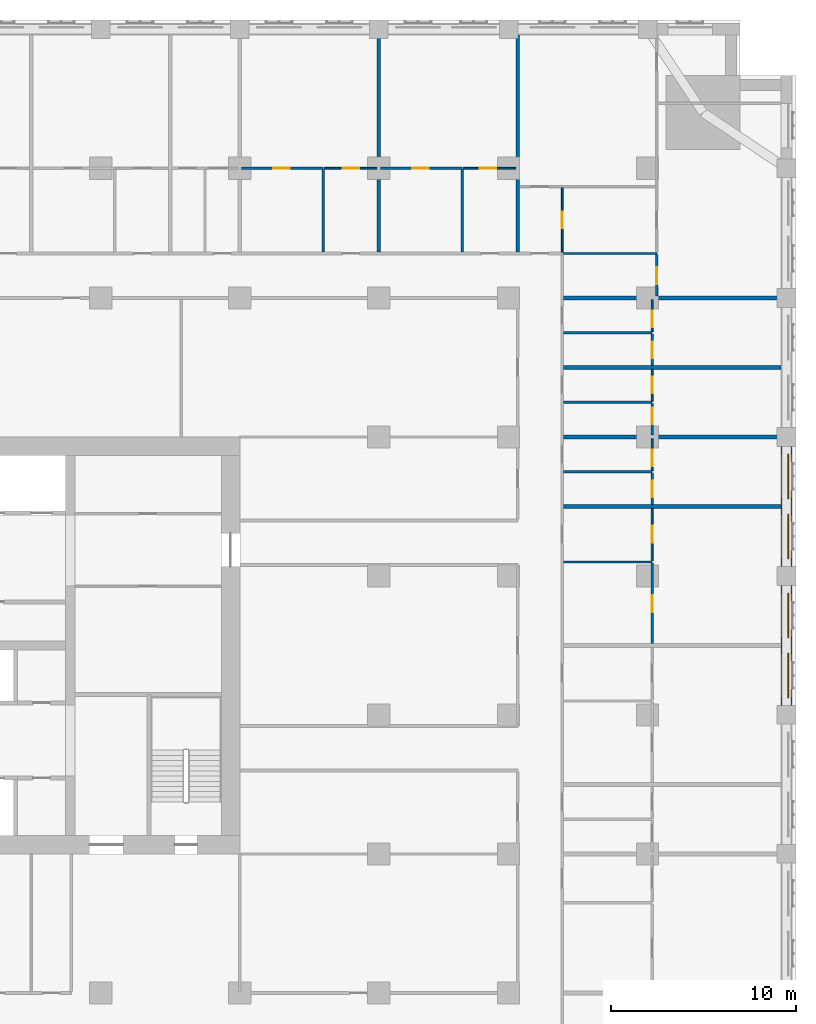
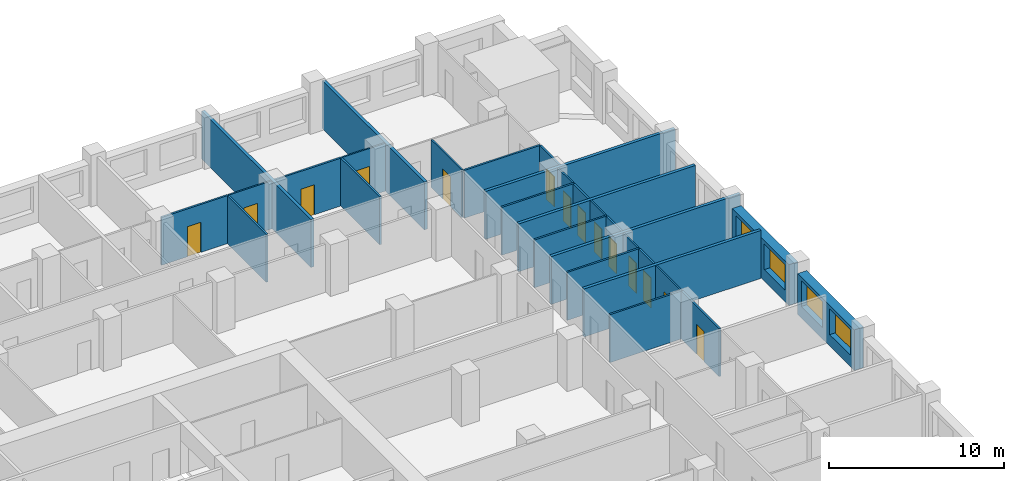
# One storey, part 10 of 14: 29 walls, 14 doors, 4 windows, 18 openings.
"""IFC4 building model written with IfcOpenShell, lengths in metres."""

from ifc_helpers import new_model, si_unit, direction, frame, frame_2d, origin, place, context, subcontext, project, spatial, rectangle, extrude, material, layer, layer_set, type_object, element, fill, save


model = new_model("IFC4")

# Units and contexts
model_context = context("Model", 3, precision=1e-05, world=origin(), true_north=direction((0.0, 1.0)))
body_context = subcontext(model_context, "Body", "Model", "MODEL_VIEW")
ifc_project = project(units=[si_unit("LENGTHUNIT", "METRE"), si_unit("AREAUNIT", "SQUARE_METRE"), si_unit("VOLUMEUNIT", "CUBIC_METRE"), si_unit("PLANEANGLEUNIT", "RADIAN"), si_unit("MASSUNIT", "GRAM", prefix="KILO")], contexts=[model_context])

# Site, building, storey
site_placement = place(None, origin())
site = spatial("IfcSite", under=ifc_project, at=site_placement, CompositionType="ELEMENT")
building_placement = place(site_placement, origin())
building = spatial("IfcBuilding", under=site, at=building_placement, Name="Tamorin Gate", CompositionType="ELEMENT")
storey_placement = place(building_placement, frame((0.0, 0.0, 44.800048828125)))
storey = spatial("IfcBuildingStorey", under=building, at=storey_placement, Name="L09", CompositionType="ELEMENT", Elevation=44.800048828125)

# Wall, openings, windows
ifc_material_1 = material(Name="Precast concrete C40/50", Category="concrete")
ifc_layer_1 = layer(ifc_material_1, 0.60009765625)
ifc_layer_set_1 = layer_set([ifc_layer_1], Name="Precast concrete C40/50")
wall_type_1 = type_object("IfcWallType", Name="Board-marked concrete facade panel 600", PredefinedType="SOLIDWALL", material=ifc_layer_set_1)
wall_1_placement = place(storey_placement, frame((89.5, 68.0, 0.0), z_axis=(0.0, 0.0, 1.0), x_axis=(0.0, 1.0, 0.0)))
wall_1 = element("IfcWall", 1, at=wall_1_placement, inside=storey, type_object=wall_type_1, Name="Facade panel", PredefinedType="SOLIDWALL", context=body_context, shape_type="SweptSolid", body=[
    extrude(rectangle(XDim=6.5, YDim=0.60009765625, at=frame_2d((3.25, 0.0))), origin(), (0.0, 0.0, 1.0), 2.849853515625),
])
opening_1_placement = place(wall_1_placement, frame((0.425048828125, 0.0, 0.800048828125)))
opening_1 = element("IfcOpeningElement", 2, at=opening_1_placement, cuts=wall_1, Name="Opening WN1", PredefinedType="OPENING", context=body_context, shape_type="SweptSolid", body=[
    extrude(rectangle(XDim=2.39990234375, YDim=1.800048828125, at=frame_2d((1.199951171875, 0.89990234375))), frame((0.0, 0.31005859375, 0.0), z_axis=(0.0, -1.0, 0.0), x_axis=(1.0, 0.0, 0.0)), (0.0, 0.0, 1.0), 0.6201171875),
])
opening_2_placement = place(wall_1_placement, frame((3.675048828125, 0.0, 0.800048828125)))
opening_2 = element("IfcOpeningElement", 3, at=opening_2_placement, cuts=wall_1, Name="Opening WN1", PredefinedType="OPENING", context=body_context, shape_type="SweptSolid", body=[
    extrude(rectangle(XDim=2.39990234375, YDim=1.800048828125, at=frame_2d((1.199951171875, 0.89990234375))), frame((0.0, 0.31005859375, 0.0), z_axis=(0.0, -1.0, 0.0), x_axis=(1.0, 0.0, 0.0)), (0.0, 0.0, 1.0), 0.6201171875),
])
ifc_material_2 = material(Name="Clear glass in aluminium frame", Category="aluminium")
window_type = type_object("IfcWindowType", Name="Deep-set window 2400x1800", PartitioningType="SINGLE_PANEL", PredefinedType="WINDOW", material=ifc_material_2)
window_1_placement = place(opening_1_placement, origin())
window_1 = element("IfcWindow", 4, at=window_1_placement, inside=storey, type_object=window_type, Name="Deep-set window", OverallHeight=1.800048828125, OverallWidth=2.39990234375, PartitioningType="SINGLE_PANEL", PredefinedType="WINDOW", context=body_context, shape_type="SweptSolid", body=[
    extrude(rectangle(XDim=2.39990234375, YDim=1.800048828125, at=frame_2d((1.199951171875, 0.89990234375))), frame((0.0, -0.070068359375, 0.0), z_axis=(0.0, -1.0, 0.0), x_axis=(1.0, 0.0, 0.0)), (0.0, 0.0, 1.0), 0.06005859375),
])
fill(opening_1, window_1)
window_2_placement = place(opening_2_placement, origin())
window_2 = element("IfcWindow", 5, at=window_2_placement, inside=storey, type_object=window_type, Name="Deep-set window", OverallHeight=1.800048828125, OverallWidth=2.39990234375, PartitioningType="SINGLE_PANEL", PredefinedType="WINDOW", context=body_context, shape_type="SweptSolid", body=[
    extrude(rectangle(XDim=2.39990234375, YDim=1.800048828125, at=frame_2d((1.199951171875, 0.89990234375))), frame((0.0, -0.070068359375, 0.0), z_axis=(0.0, -1.0, 0.0), x_axis=(1.0, 0.0, 0.0)), (0.0, 0.0, 1.0), 0.06005859375),
])
fill(opening_2, window_2)

wall_2_placement = place(storey_placement, frame((89.5, 75.5, 0.0), z_axis=(0.0, 0.0, 1.0), x_axis=(0.0, 1.0, 0.0)))
wall_2 = element("IfcWall", 6, at=wall_2_placement, inside=storey, type_object=wall_type_1, Name="Facade panel", PredefinedType="SOLIDWALL", context=body_context, shape_type="SweptSolid", body=[
    extrude(rectangle(XDim=6.5, YDim=0.60009765625, at=frame_2d((3.25, 0.0))), origin(), (0.0, 0.0, 1.0), 2.849853515625),
])
opening_3_placement = place(wall_2_placement, frame((0.425048828125, 0.0, 0.800048828125)))
opening_3 = element("IfcOpeningElement", 7, at=opening_3_placement, cuts=wall_2, Name="Opening WN1", PredefinedType="OPENING", context=body_context, shape_type="SweptSolid", body=[
    extrude(rectangle(XDim=2.39990234375, YDim=1.800048828125, at=frame_2d((1.199951171875, 0.89990234375))), frame((0.0, 0.31005859375, 0.0), z_axis=(0.0, -1.0, 0.0), x_axis=(1.0, 0.0, 0.0)), (0.0, 0.0, 1.0), 0.6201171875),
])
opening_4_placement = place(wall_2_placement, frame((3.675048828125, 0.0, 0.800048828125)))
opening_4 = element("IfcOpeningElement", 8, at=opening_4_placement, cuts=wall_2, Name="Opening WN1", PredefinedType="OPENING", context=body_context, shape_type="SweptSolid", body=[
    extrude(rectangle(XDim=2.39990234375, YDim=1.800048828125, at=frame_2d((1.199951171875, 0.89990234375))), frame((0.0, 0.31005859375, 0.0), z_axis=(0.0, -1.0, 0.0), x_axis=(1.0, 0.0, 0.0)), (0.0, 0.0, 1.0), 0.6201171875),
])
window_3_placement = place(opening_3_placement, origin())
window_3 = element("IfcWindow", 9, at=window_3_placement, inside=storey, type_object=window_type, Name="Deep-set window", OverallHeight=1.800048828125, OverallWidth=2.39990234375, PartitioningType="SINGLE_PANEL", PredefinedType="WINDOW", context=body_context, shape_type="SweptSolid", body=[
    extrude(rectangle(XDim=2.39990234375, YDim=1.800048828125, at=frame_2d((1.199951171875, 0.89990234375))), frame((0.0, -0.070068359375, 0.0), z_axis=(0.0, -1.0, 0.0), x_axis=(1.0, 0.0, 0.0)), (0.0, 0.0, 1.0), 0.06005859375),
])
fill(opening_3, window_3)
window_4_placement = place(opening_4_placement, origin())
window_4 = element("IfcWindow", 10, at=window_4_placement, inside=storey, type_object=window_type, Name="Deep-set window", OverallHeight=1.800048828125, OverallWidth=2.39990234375, PartitioningType="SINGLE_PANEL", PredefinedType="WINDOW", context=body_context, shape_type="SweptSolid", body=[
    extrude(rectangle(XDim=2.39990234375, YDim=1.800048828125, at=frame_2d((1.199951171875, 0.89990234375))), frame((0.0, -0.070068359375, 0.0), z_axis=(0.0, -1.0, 0.0), x_axis=(1.0, 0.0, 0.0)), (0.0, 0.0, 1.0), 0.06005859375),
])
fill(opening_4, window_4)

# Walls
ifc_material_3 = material(Name="Gypsum board partition")
ifc_layer_2 = layer(ifc_material_3, 0.199951171875)
ifc_layer_set_2 = layer_set([ifc_layer_2], Name="Demising wall 200")
wall_type_2 = type_object("IfcWallType", Name="Demising wall 200", PredefinedType="PARTITIONING", material=ifc_layer_set_2)
wall_3_placement = place(storey_placement, frame((77.47509765625, 78.75, 0.0), z_axis=(0.0, 0.0, 1.0), x_axis=(1.0, 0.0, 0.0)))
element("IfcWall", 11, at=wall_3_placement, inside=storey, type_object=wall_type_2, Name="Demising wall 200", PredefinedType="PARTITIONING", context=body_context, shape_type="SweptSolid", body=[
    extrude(rectangle(XDim=11.71484375, YDim=0.199951171875, at=frame_2d((5.857421875, 0.0))), origin(), (0.0, 0.0, 1.0), 3.349853515625),
])
wall_4_placement = place(storey_placement, frame((77.47509765625, 82.5, 0.0), z_axis=(0.0, 0.0, 1.0), x_axis=(1.0, 0.0, 0.0)))
element("IfcWall", 12, at=wall_4_placement, inside=storey, type_object=wall_type_2, Name="Demising wall 200", PredefinedType="PARTITIONING", context=body_context, shape_type="SweptSolid", body=[
    extrude(rectangle(XDim=12.52490234375, YDim=0.199951171875, at=frame_2d((6.262451171875, 0.0))), origin(), (0.0, 0.0, 1.0), 3.349853515625),
])
wall_5_placement = place(storey_placement, frame((77.47509765625, 86.25, 0.0), z_axis=(0.0, 0.0, 1.0), x_axis=(1.0, 0.0, 0.0)))
element("IfcWall", 13, at=wall_5_placement, inside=storey, type_object=wall_type_2, Name="Demising wall 200", PredefinedType="PARTITIONING", context=body_context, shape_type="SweptSolid", body=[
    extrude(rectangle(XDim=11.71484375, YDim=0.199951171875, at=frame_2d((5.857421875, 0.0))), origin(), (0.0, 0.0, 1.0), 3.349853515625),
])
for number, where, z_axis, x_axis, name in (
    (14, (77.47509765625, 90.0, 0.0), (0.0, 0.0, 1.0), (1.0, 0.0, 0.0), "Demising wall 200"),
    (15, (67.5, 92.47509765625, 0.0), (0.0, 0.0, 1.0), (0.0, 1.0, 0.0), "Demising wall 200"),
):
    element("IfcWall", number, at=place(storey_placement, frame(where, z_axis=z_axis, x_axis=x_axis)), inside=storey, type_object=wall_type_2, Name=name, PredefinedType="PARTITIONING", context=body_context, shape_type="SweptSolid", body=[
        extrude(rectangle(XDim=12.52490234375, YDim=0.199951171875, at=frame_2d((6.262451171875, 0.0))), origin(), (0.0, 0.0, 1.0), 3.349853515625),
    ])
wall_6_placement = place(storey_placement, frame((75.0, 92.47509765625, 0.0), z_axis=(0.0, 0.0, 1.0), x_axis=(0.0, 1.0, 0.0)))
element("IfcWall", 16, at=wall_6_placement, inside=storey, type_object=wall_type_2, Name="Demising wall 200", PredefinedType="PARTITIONING", context=body_context, shape_type="SweptSolid", body=[
    extrude(rectangle(XDim=11.71484375, YDim=0.199951171875, at=frame_2d((5.857421875, 0.0))), origin(), (0.0, 0.0, 1.0), 3.349853515625),
])

# Wall, opening, door
ifc_layer_3 = layer(ifc_material_3, 0.10009765625)
ifc_layer_set_3 = layer_set([ifc_layer_3], Name="Room partition 100")
wall_type_3 = type_object("IfcWallType", Name="Room partition 100", PredefinedType="PARTITIONING", material=ifc_layer_set_3)
wall_7_placement = place(storey_placement, frame((64.5625, 97.0, 0.0), z_axis=(0.0, 0.0, 1.0), x_axis=(1.0, 0.0, 0.0)))
wall_7 = element("IfcWall", 17, at=wall_7_placement, inside=storey, type_object=wall_type_3, Name="Room partition 100", PredefinedType="PARTITIONING", context=body_context, shape_type="SweptSolid", body=[
    extrude(rectangle(XDim=2.83740234375, YDim=0.10009765625, at=frame_2d((1.418701171875, 0.0))), origin(), (0.0, 0.0, 1.0), 3.349853515625),
])
opening_5_placement = place(wall_7_placement, frame((0.987548828125, 0.0, 0.0)))
opening_5 = element("IfcOpeningElement", 18, at=opening_5_placement, cuts=wall_7, Name="Opening DH4035", PredefinedType="OPENING", context=body_context, shape_type="SweptSolid", body=[
    extrude(rectangle(XDim=0.89990234375, YDim=2.10009765625, at=frame_2d((0.449951171875, 1.050048828125))), frame((0.0, 0.06005859375, 0.0), z_axis=(0.0, -1.0, 0.0), x_axis=(1.0, 0.0, 0.0)), (0.0, 0.0, 1.0), 0.1201171875),
])
ifc_material_4 = material(Name="Timber door leaf", Category="wood")
door_type = type_object("IfcDoorType", Name="Door 900 x 2100", OperationType="NOTDEFINED", PredefinedType="DOOR", material=ifc_material_4)
door_1_placement = place(opening_5_placement, origin())
door_1 = element("IfcDoor", 19, at=door_1_placement, inside=storey, type_object=door_type, Name="Door DH4035", OperationType="SINGLE_SWING_RIGHT", OverallHeight=2.10009765625, OverallWidth=0.89990234375, PredefinedType="DOOR", context=body_context, shape_type="SweptSolid", body=[
    extrude(rectangle(XDim=0.89990234375, YDim=2.10009765625, at=frame_2d((0.449951171875, 1.050048828125))), frame((0.0, 0.02490234375, 0.0), z_axis=(0.0, -1.0, 0.0), x_axis=(1.0, 0.0, 0.0)), (0.0, 0.0, 1.0), 0.050048828125),
])
fill(opening_5, door_1)

wall_8_placement = place(storey_placement, frame((72.0625, 97.0, 0.0), z_axis=(0.0, 0.0, 1.0), x_axis=(1.0, 0.0, 0.0)))
wall_8 = element("IfcWall", 20, at=wall_8_placement, inside=storey, type_object=wall_type_3, Name="Room partition 100", PredefinedType="PARTITIONING", context=body_context, shape_type="SweptSolid", body=[
    extrude(rectangle(XDim=2.83740234375, YDim=0.10009765625, at=frame_2d((1.418701171875, 0.0))), origin(), (0.0, 0.0, 1.0), 3.349853515625),
])
opening_6_placement = place(wall_8_placement, frame((0.887451171875, 0.0, 0.0)))
opening_6 = element("IfcOpeningElement", 21, at=opening_6_placement, cuts=wall_8, Name="Opening DH4038", PredefinedType="OPENING", context=body_context, shape_type="SweptSolid", body=[
    extrude(rectangle(XDim=0.89990234375, YDim=2.10009765625, at=frame_2d((0.449951171875, 1.050048828125))), frame((0.0, 0.06005859375, 0.0), z_axis=(0.0, -1.0, 0.0), x_axis=(1.0, 0.0, 0.0)), (0.0, 0.0, 1.0), 0.1201171875),
])
door_2_placement = place(opening_6_placement, origin())
door_2 = element("IfcDoor", 22, at=door_2_placement, inside=storey, type_object=door_type, Name="Door DH4038", OperationType="SINGLE_SWING_RIGHT", OverallHeight=2.10009765625, OverallWidth=0.89990234375, PredefinedType="DOOR", context=body_context, shape_type="SweptSolid", body=[
    extrude(rectangle(XDim=0.89990234375, YDim=2.10009765625, at=frame_2d((0.449951171875, 1.050048828125))), frame((0.0, 0.02490234375, 0.0), z_axis=(0.0, -1.0, 0.0), x_axis=(1.0, 0.0, 0.0)), (0.0, 0.0, 1.0), 0.050048828125),
])
fill(opening_6, door_2)

wall_9_placement = place(storey_placement, frame((77.39990234375, 92.47509765625, 0.0), z_axis=(0.0, 0.0, 1.0), x_axis=(0.0, 1.0, 0.0)))
wall_9 = element("IfcWall", 23, at=wall_9_placement, inside=storey, type_object=wall_type_3, Name="Room partition 100", PredefinedType="PARTITIONING", context=body_context, shape_type="SweptSolid", body=[
    extrude(rectangle(XDim=3.474853515625, YDim=0.10009765625, at=frame_2d((1.7373046875, 0.0))), origin(), (0.0, 0.0, 1.0), 3.349853515625),
])
opening_7_placement = place(wall_9_placement, frame((1.27490234375, 0.0, 0.0)))
opening_7 = element("IfcOpeningElement", 24, at=opening_7_placement, cuts=wall_9, Name="Opening DH4068", PredefinedType="OPENING", context=body_context, shape_type="SweptSolid", body=[
    extrude(rectangle(XDim=0.89990234375, YDim=2.10009765625, at=frame_2d((0.449951171875, 1.050048828125))), frame((0.0, 0.06005859375, 0.0), z_axis=(0.0, -1.0, 0.0), x_axis=(1.0, 0.0, 0.0)), (0.0, 0.0, 1.0), 0.1201171875),
])
door_3_placement = place(opening_7_placement, origin())
door_3 = element("IfcDoor", 25, at=door_3_placement, inside=storey, type_object=door_type, Name="Door DH4068", OperationType="SINGLE_SWING_RIGHT", OverallHeight=2.10009765625, OverallWidth=0.89990234375, PredefinedType="DOOR", context=body_context, shape_type="SweptSolid", body=[
    extrude(rectangle(XDim=0.89990234375, YDim=2.10009765625, at=frame_2d((0.449951171875, 1.050048828125))), frame((0.0, 0.02490234375, 0.0), z_axis=(0.0, -1.0, 0.0), x_axis=(1.0, 0.0, 0.0)), (0.0, 0.0, 1.0), 0.050048828125),
])
fill(opening_7, door_3)

wall_10_placement = place(storey_placement, frame((82.25, 75.8125, 0.0), z_axis=(0.0, 0.0, 1.0), x_axis=(0.0, 1.0, 0.0)))
wall_10 = element("IfcWall", 26, at=wall_10_placement, inside=storey, type_object=wall_type_3, Name="Room partition 100", PredefinedType="PARTITIONING", context=body_context, shape_type="SweptSolid", body=[
    extrude(rectangle(XDim=2.83740234375, YDim=0.10009765625, at=frame_2d((1.418701171875, 0.0))), origin(), (0.0, 0.0, 1.0), 3.349853515625),
])
opening_8_placement = place(wall_10_placement, frame((0.987548828125, 0.0, 0.0)))
opening_8 = element("IfcOpeningElement", 27, at=opening_8_placement, cuts=wall_10, Name="Opening DH4050", PredefinedType="OPENING", context=body_context, shape_type="SweptSolid", body=[
    extrude(rectangle(XDim=0.89990234375, YDim=2.10009765625, at=frame_2d((0.449951171875, 1.050048828125))), frame((0.0, 0.06005859375, 0.0), z_axis=(0.0, -1.0, 0.0), x_axis=(1.0, 0.0, 0.0)), (0.0, 0.0, 1.0), 0.1201171875),
])
door_4_placement = place(opening_8_placement, origin())
door_4 = element("IfcDoor", 28, at=door_4_placement, inside=storey, type_object=door_type, Name="Door DH4050", OperationType="SINGLE_SWING_LEFT", OverallHeight=2.10009765625, OverallWidth=0.89990234375, PredefinedType="DOOR", context=body_context, shape_type="SweptSolid", body=[
    extrude(rectangle(XDim=0.89990234375, YDim=2.10009765625, at=frame_2d((0.449951171875, 1.050048828125))), frame((0.0, 0.02490234375, 0.0), z_axis=(0.0, -1.0, 0.0), x_axis=(1.0, 0.0, 0.0)), (0.0, 0.0, 1.0), 0.050048828125),
])
fill(opening_8, door_4)

wall_11_placement = place(storey_placement, frame((82.25, 80.6875, 0.0), z_axis=(0.0, 0.0, 1.0), x_axis=(0.0, 1.0, 0.0)))
wall_11 = element("IfcWall", 29, at=wall_11_placement, inside=storey, type_object=wall_type_3, Name="Room partition 100", PredefinedType="PARTITIONING", context=body_context, shape_type="SweptSolid", body=[
    extrude(rectangle(XDim=1.71240234375, YDim=0.10009765625, at=frame_2d((0.856201171875, 0.0))), origin(), (0.0, 0.0, 1.0), 3.349853515625),
])
opening_9_placement = place(wall_11_placement, frame((0.22509765625, 0.0, 0.0)))
opening_9 = element("IfcOpeningElement", 30, at=opening_9_placement, cuts=wall_11, Name="Opening DH4053", PredefinedType="OPENING", context=body_context, shape_type="SweptSolid", body=[
    extrude(rectangle(XDim=0.89990234375, YDim=2.10009765625, at=frame_2d((0.449951171875, 1.050048828125))), frame((0.0, 0.06005859375, 0.0), z_axis=(0.0, -1.0, 0.0), x_axis=(1.0, 0.0, 0.0)), (0.0, 0.0, 1.0), 0.1201171875),
])
door_5_placement = place(opening_9_placement, origin())
door_5 = element("IfcDoor", 31, at=door_5_placement, inside=storey, type_object=door_type, Name="Door DH4053", OperationType="SINGLE_SWING_LEFT", OverallHeight=2.10009765625, OverallWidth=0.89990234375, PredefinedType="DOOR", context=body_context, shape_type="SweptSolid", body=[
    extrude(rectangle(XDim=0.89990234375, YDim=2.10009765625, at=frame_2d((0.449951171875, 1.050048828125))), frame((0.0, 0.02490234375, 0.0), z_axis=(0.0, -1.0, 0.0), x_axis=(1.0, 0.0, 0.0)), (0.0, 0.0, 1.0), 0.050048828125),
])
fill(opening_9, door_5)

wall_12_placement = place(storey_placement, frame((82.25, 84.4375, 0.0), z_axis=(0.0, 0.0, 1.0), x_axis=(0.0, 1.0, 0.0)))
wall_12 = element("IfcWall", 32, at=wall_12_placement, inside=storey, type_object=wall_type_3, Name="Room partition 100", PredefinedType="PARTITIONING", context=body_context, shape_type="SweptSolid", body=[
    extrude(rectangle(XDim=1.71240234375, YDim=0.10009765625, at=frame_2d((0.856201171875, 0.0))), origin(), (0.0, 0.0, 1.0), 3.349853515625),
])
opening_10_placement = place(wall_12_placement, frame((0.425048828125, 0.0, 0.0)))
opening_10 = element("IfcOpeningElement", 33, at=opening_10_placement, cuts=wall_12, Name="Opening DH4056", PredefinedType="OPENING", context=body_context, shape_type="SweptSolid", body=[
    extrude(rectangle(XDim=0.89990234375, YDim=2.10009765625, at=frame_2d((0.449951171875, 1.050048828125))), frame((0.0, 0.06005859375, 0.0), z_axis=(0.0, -1.0, 0.0), x_axis=(1.0, 0.0, 0.0)), (0.0, 0.0, 1.0), 0.1201171875),
])
door_6_placement = place(opening_10_placement, origin())
door_6 = element("IfcDoor", 34, at=door_6_placement, inside=storey, type_object=door_type, Name="Door DH4056", OperationType="SINGLE_SWING_LEFT", OverallHeight=2.10009765625, OverallWidth=0.89990234375, PredefinedType="DOOR", context=body_context, shape_type="SweptSolid", body=[
    extrude(rectangle(XDim=0.89990234375, YDim=2.10009765625, at=frame_2d((0.449951171875, 1.050048828125))), frame((0.0, 0.02490234375, 0.0), z_axis=(0.0, -1.0, 0.0), x_axis=(1.0, 0.0, 0.0)), (0.0, 0.0, 1.0), 0.050048828125),
])
fill(opening_10, door_6)

wall_13_placement = place(storey_placement, frame((82.25, 88.1875, 0.0), z_axis=(0.0, 0.0, 1.0), x_axis=(0.0, 1.0, 0.0)))
wall_13 = element("IfcWall", 35, at=wall_13_placement, inside=storey, type_object=wall_type_3, Name="Room partition 100", PredefinedType="PARTITIONING", context=body_context, shape_type="SweptSolid", body=[
    extrude(rectangle(XDim=1.71240234375, YDim=0.10009765625, at=frame_2d((0.856201171875, 0.0))), origin(), (0.0, 0.0, 1.0), 3.349853515625),
])
opening_11_placement = place(wall_13_placement, frame((0.22509765625, 0.0, 0.0)))
opening_11 = element("IfcOpeningElement", 36, at=opening_11_placement, cuts=wall_13, Name="Opening DH4059", PredefinedType="OPENING", context=body_context, shape_type="SweptSolid", body=[
    extrude(rectangle(XDim=0.89990234375, YDim=2.10009765625, at=frame_2d((0.449951171875, 1.050048828125))), frame((0.0, 0.06005859375, 0.0), z_axis=(0.0, -1.0, 0.0), x_axis=(1.0, 0.0, 0.0)), (0.0, 0.0, 1.0), 0.1201171875),
])
door_7_placement = place(opening_11_placement, origin())
door_7 = element("IfcDoor", 37, at=door_7_placement, inside=storey, type_object=door_type, Name="Door DH4059", OperationType="SINGLE_SWING_LEFT", OverallHeight=2.10009765625, OverallWidth=0.89990234375, PredefinedType="DOOR", context=body_context, shape_type="SweptSolid", body=[
    extrude(rectangle(XDim=0.89990234375, YDim=2.10009765625, at=frame_2d((0.449951171875, 1.050048828125))), frame((0.0, 0.02490234375, 0.0), z_axis=(0.0, -1.0, 0.0), x_axis=(1.0, 0.0, 0.0)), (0.0, 0.0, 1.0), 0.050048828125),
])
fill(opening_11, door_7)

# Walls
ifc_layer_4 = layer(ifc_material_3, 0.125)
ifc_layer_set_4 = layer_set([ifc_layer_4], Name="Wet wall 125")
wall_type_4 = type_object("IfcWallType", Name="Wet wall 125", PredefinedType="PARTITIONING", material=ifc_layer_set_4)
for number, where, z_axis, x_axis, name in (
    (38, (77.47509765625, 75.75, 0.0), (0.0, 0.0, 1.0), (1.0, 0.0, 0.0), "Wet wall 125"),
    (39, (77.47509765625, 80.625, 0.0), (0.0, 0.0, 1.0), (1.0, 0.0, 0.0), "Wet wall 125"),
    (40, (77.47509765625, 84.375, 0.0), (0.0, 0.0, 1.0), (1.0, 0.0, 0.0), "Wet wall 125"),
    (41, (77.47509765625, 88.125, 0.0), (0.0, 0.0, 1.0), (1.0, 0.0, 0.0), "Wet wall 125"),
):
    element("IfcWall", number, at=place(storey_placement, frame(where, z_axis=z_axis, x_axis=x_axis)), inside=storey, type_object=wall_type_4, Name=name, PredefinedType="PARTITIONING", context=body_context, shape_type="SweptSolid", body=[
        extrude(rectangle(XDim=4.77490234375, YDim=0.125, at=frame_2d((2.387451171875, 0.0))), origin(), (0.0, 0.0, 1.0), 3.349853515625),
    ])
wall_14_placement = place(storey_placement, frame((77.47509765625, 92.39990234375, 0.0), z_axis=(0.0, 0.0, 1.0), x_axis=(1.0, 0.0, 0.0)))
element("IfcWall", 42, at=wall_14_placement, inside=storey, type_object=wall_type_4, Name="Wet wall 125", PredefinedType="PARTITIONING", context=body_context, shape_type="SweptSolid", body=[
    extrude(rectangle(XDim=5.02490234375, YDim=0.125, at=frame_2d((2.512451171875, 0.0))), origin(), (0.0, 0.0, 1.0), 3.349853515625),
])

# Wall, opening, door
wall_15_placement = place(storey_placement, frame((60.10009765625, 97.0, 0.0), z_axis=(0.0, 0.0, 1.0), x_axis=(1.0, 0.0, 0.0)))
wall_15 = element("IfcWall", 43, at=wall_15_placement, inside=storey, type_object=wall_type_4, Name="Wet wall 125", PredefinedType="PARTITIONING", context=body_context, shape_type="SweptSolid", body=[
    extrude(rectangle(XDim=4.39990234375, YDim=0.125, at=frame_2d((2.199951171875, 0.0))), origin(), (0.0, 0.0, 1.0), 3.349853515625),
])
opening_12_placement = place(wall_15_placement, frame((1.699951171875, 0.0, 0.0)))
opening_12 = element("IfcOpeningElement", 44, at=opening_12_placement, cuts=wall_15, Name="Opening DH4033", PredefinedType="OPENING", context=body_context, shape_type="SweptSolid", body=[
    extrude(rectangle(XDim=0.89990234375, YDim=2.10009765625, at=frame_2d((0.449951171875, 1.050048828125))), frame((0.0, 0.072509765625, 0.0), z_axis=(0.0, -1.0, 0.0), x_axis=(1.0, 0.0, 0.0)), (0.0, 0.0, 1.0), 0.14501953125),
])
door_8_placement = place(opening_12_placement, origin())
door_8 = element("IfcDoor", 45, at=door_8_placement, inside=storey, type_object=door_type, Name="Door DH4033", OperationType="SINGLE_SWING_RIGHT", OverallHeight=2.10009765625, OverallWidth=0.89990234375, PredefinedType="DOOR", context=body_context, shape_type="SweptSolid", body=[
    extrude(rectangle(XDim=0.89990234375, YDim=2.10009765625, at=frame_2d((0.449951171875, 1.050048828125))), frame((0.0, 0.02490234375, 0.0), z_axis=(0.0, -1.0, 0.0), x_axis=(1.0, 0.0, 0.0)), (0.0, 0.0, 1.0), 0.050048828125),
])
fill(opening_12, door_8)

wall_16_placement = place(storey_placement, frame((67.60009765625, 97.0, 0.0), z_axis=(0.0, 0.0, 1.0), x_axis=(1.0, 0.0, 0.0)))
wall_16 = element("IfcWall", 46, at=wall_16_placement, inside=storey, type_object=wall_type_4, Name="Wet wall 125", PredefinedType="PARTITIONING", context=body_context, shape_type="SweptSolid", body=[
    extrude(rectangle(XDim=4.39990234375, YDim=0.125, at=frame_2d((2.199951171875, 0.0))), origin(), (0.0, 0.0, 1.0), 3.349853515625),
])
opening_13_placement = place(wall_16_placement, frame((1.699951171875, 0.0, 0.0)))
opening_13 = element("IfcOpeningElement", 47, at=opening_13_placement, cuts=wall_16, Name="Opening DH4036", PredefinedType="OPENING", context=body_context, shape_type="SweptSolid", body=[
    extrude(rectangle(XDim=0.89990234375, YDim=2.10009765625, at=frame_2d((0.449951171875, 1.050048828125))), frame((0.0, 0.072509765625, 0.0), z_axis=(0.0, -1.0, 0.0), x_axis=(1.0, 0.0, 0.0)), (0.0, 0.0, 1.0), 0.14501953125),
])
door_9_placement = place(opening_13_placement, origin())
door_9 = element("IfcDoor", 48, at=door_9_placement, inside=storey, type_object=door_type, Name="Door DH4036", OperationType="SINGLE_SWING_RIGHT", OverallHeight=2.10009765625, OverallWidth=0.89990234375, PredefinedType="DOOR", context=body_context, shape_type="SweptSolid", body=[
    extrude(rectangle(XDim=0.89990234375, YDim=2.10009765625, at=frame_2d((0.449951171875, 1.050048828125))), frame((0.0, 0.02490234375, 0.0), z_axis=(0.0, -1.0, 0.0), x_axis=(1.0, 0.0, 0.0)), (0.0, 0.0, 1.0), 0.050048828125),
])
fill(opening_13, door_9)

# Walls
for number, where, z_axis, x_axis, name in (
    (49, (64.5, 92.47509765625, 0.0), (0.0, 0.0, 1.0), (0.0, 1.0, 0.0), "Wet wall 125"),
    (50, (72.0, 92.47509765625, 0.0), (0.0, 0.0, 1.0), (0.0, 1.0, 0.0), "Wet wall 125"),
):
    element("IfcWall", number, at=place(storey_placement, frame(where, z_axis=z_axis, x_axis=x_axis)), inside=storey, type_object=wall_type_4, Name=name, PredefinedType="PARTITIONING", context=body_context, shape_type="SweptSolid", body=[
        extrude(rectangle(XDim=4.46240234375, YDim=0.125, at=frame_2d((2.231201171875, 0.0))), origin(), (0.0, 0.0, 1.0), 3.349853515625),
    ])

# Wall, opening, door
wall_17_placement = place(storey_placement, frame((82.25, 71.35009765625, 0.0), z_axis=(0.0, 0.0, 1.0), x_axis=(0.0, 1.0, 0.0)))
wall_17 = element("IfcWall", 51, at=wall_17_placement, inside=storey, type_object=wall_type_4, Name="Wet wall 125", PredefinedType="PARTITIONING", context=body_context, shape_type="SweptSolid", body=[
    extrude(rectangle(XDim=4.33740234375, YDim=0.125, at=frame_2d((2.168701171875, 0.0))), origin(), (0.0, 0.0, 1.0), 3.349853515625),
])
opening_14_placement = place(wall_17_placement, frame((1.699951171875, 0.0, 0.0)))
opening_14 = element("IfcOpeningElement", 52, at=opening_14_placement, cuts=wall_17, Name="Opening DH4048", PredefinedType="OPENING", context=body_context, shape_type="SweptSolid", body=[
    extrude(rectangle(XDim=0.89990234375, YDim=2.10009765625, at=frame_2d((0.449951171875, 1.050048828125))), frame((0.0, 0.072509765625, 0.0), z_axis=(0.0, -1.0, 0.0), x_axis=(1.0, 0.0, 0.0)), (0.0, 0.0, 1.0), 0.14501953125),
])
door_10_placement = place(opening_14_placement, origin())
door_10 = element("IfcDoor", 53, at=door_10_placement, inside=storey, type_object=door_type, Name="Door DH4048", OperationType="SINGLE_SWING_LEFT", OverallHeight=2.10009765625, OverallWidth=0.89990234375, PredefinedType="DOOR", context=body_context, shape_type="SweptSolid", body=[
    extrude(rectangle(XDim=0.89990234375, YDim=2.10009765625, at=frame_2d((0.449951171875, 1.050048828125))), frame((0.0, 0.02490234375, 0.0), z_axis=(0.0, -1.0, 0.0), x_axis=(1.0, 0.0, 0.0)), (0.0, 0.0, 1.0), 0.050048828125),
])
fill(opening_14, door_10)

wall_18_placement = place(storey_placement, frame((82.25, 78.85009765625, 0.0), z_axis=(0.0, 0.0, 1.0), x_axis=(0.0, 1.0, 0.0)))
wall_18 = element("IfcWall", 54, at=wall_18_placement, inside=storey, type_object=wall_type_4, Name="Wet wall 125", PredefinedType="PARTITIONING", context=body_context, shape_type="SweptSolid", body=[
    extrude(rectangle(XDim=1.71240234375, YDim=0.125, at=frame_2d((0.856201171875, 0.0))), origin(), (0.0, 0.0, 1.0), 3.349853515625),
])
opening_15_placement = place(wall_18_placement, frame((0.387451171875, 0.0, 0.0)))
opening_15 = element("IfcOpeningElement", 55, at=opening_15_placement, cuts=wall_18, Name="Opening DH4051", PredefinedType="OPENING", context=body_context, shape_type="SweptSolid", body=[
    extrude(rectangle(XDim=0.89990234375, YDim=2.10009765625, at=frame_2d((0.449951171875, 1.050048828125))), frame((0.0, 0.072509765625, 0.0), z_axis=(0.0, -1.0, 0.0), x_axis=(1.0, 0.0, 0.0)), (0.0, 0.0, 1.0), 0.14501953125),
])
door_11_placement = place(opening_15_placement, origin())
door_11 = element("IfcDoor", 56, at=door_11_placement, inside=storey, type_object=door_type, Name="Door DH4051", OperationType="SINGLE_SWING_LEFT", OverallHeight=2.10009765625, OverallWidth=0.89990234375, PredefinedType="DOOR", context=body_context, shape_type="SweptSolid", body=[
    extrude(rectangle(XDim=0.89990234375, YDim=2.10009765625, at=frame_2d((0.449951171875, 1.050048828125))), frame((0.0, 0.02490234375, 0.0), z_axis=(0.0, -1.0, 0.0), x_axis=(1.0, 0.0, 0.0)), (0.0, 0.0, 1.0), 0.050048828125),
])
fill(opening_15, door_11)

wall_19_placement = place(storey_placement, frame((82.25, 82.60009765625, 0.0), z_axis=(0.0, 0.0, 1.0), x_axis=(0.0, 1.0, 0.0)))
wall_19 = element("IfcWall", 57, at=wall_19_placement, inside=storey, type_object=wall_type_4, Name="Wet wall 125", PredefinedType="PARTITIONING", context=body_context, shape_type="SweptSolid", body=[
    extrude(rectangle(XDim=1.71240234375, YDim=0.125, at=frame_2d((0.856201171875, 0.0))), origin(), (0.0, 0.0, 1.0), 3.349853515625),
])
opening_16_placement = place(wall_19_placement, frame((0.58740234375, 0.0, 0.0)))
opening_16 = element("IfcOpeningElement", 58, at=opening_16_placement, cuts=wall_19, Name="Opening DH4054", PredefinedType="OPENING", context=body_context, shape_type="SweptSolid", body=[
    extrude(rectangle(XDim=0.89990234375, YDim=2.10009765625, at=frame_2d((0.449951171875, 1.050048828125))), frame((0.0, 0.072509765625, 0.0), z_axis=(0.0, -1.0, 0.0), x_axis=(1.0, 0.0, 0.0)), (0.0, 0.0, 1.0), 0.14501953125),
])
door_12_placement = place(opening_16_placement, origin())
door_12 = element("IfcDoor", 59, at=door_12_placement, inside=storey, type_object=door_type, Name="Door DH4054", OperationType="SINGLE_SWING_RIGHT", OverallHeight=2.10009765625, OverallWidth=0.89990234375, PredefinedType="DOOR", context=body_context, shape_type="SweptSolid", body=[
    extrude(rectangle(XDim=0.89990234375, YDim=2.10009765625, at=frame_2d((0.449951171875, 1.050048828125))), frame((0.0, 0.02490234375, 0.0), z_axis=(0.0, -1.0, 0.0), x_axis=(1.0, 0.0, 0.0)), (0.0, 0.0, 1.0), 0.050048828125),
])
fill(opening_16, door_12)

wall_20_placement = place(storey_placement, frame((82.25, 86.35009765625, 0.0), z_axis=(0.0, 0.0, 1.0), x_axis=(0.0, 1.0, 0.0)))
wall_20 = element("IfcWall", 60, at=wall_20_placement, inside=storey, type_object=wall_type_4, Name="Wet wall 125", PredefinedType="PARTITIONING", context=body_context, shape_type="SweptSolid", body=[
    extrude(rectangle(XDim=1.71240234375, YDim=0.125, at=frame_2d((0.856201171875, 0.0))), origin(), (0.0, 0.0, 1.0), 3.349853515625),
])
opening_17_placement = place(wall_20_placement, frame((0.387451171875, 0.0, 0.0)))
opening_17 = element("IfcOpeningElement", 61, at=opening_17_placement, cuts=wall_20, Name="Opening DH4057", PredefinedType="OPENING", context=body_context, shape_type="SweptSolid", body=[
    extrude(rectangle(XDim=0.89990234375, YDim=2.10009765625, at=frame_2d((0.449951171875, 1.050048828125))), frame((0.0, 0.072509765625, 0.0), z_axis=(0.0, -1.0, 0.0), x_axis=(1.0, 0.0, 0.0)), (0.0, 0.0, 1.0), 0.14501953125),
])
door_13_placement = place(opening_17_placement, origin())
door_13 = element("IfcDoor", 62, at=door_13_placement, inside=storey, type_object=door_type, Name="Door DH4057", OperationType="SINGLE_SWING_LEFT", OverallHeight=2.10009765625, OverallWidth=0.89990234375, PredefinedType="DOOR", context=body_context, shape_type="SweptSolid", body=[
    extrude(rectangle(XDim=0.89990234375, YDim=2.10009765625, at=frame_2d((0.449951171875, 1.050048828125))), frame((0.0, 0.02490234375, 0.0), z_axis=(0.0, -1.0, 0.0), x_axis=(1.0, 0.0, 0.0)), (0.0, 0.0, 1.0), 0.050048828125),
])
fill(opening_17, door_13)

wall_21_placement = place(storey_placement, frame((82.5, 90.10009765625, 0.0), z_axis=(0.0, 0.0, 1.0), x_axis=(0.0, 1.0, 0.0)))
wall_21 = element("IfcWall", 63, at=wall_21_placement, inside=storey, type_object=wall_type_4, Name="Wet wall 125", PredefinedType="PARTITIONING", context=body_context, shape_type="SweptSolid", body=[
    extrude(rectangle(XDim=2.2373046875, YDim=0.125, at=frame_2d((1.11865234375, 0.0))), origin(), (0.0, 0.0, 1.0), 3.349853515625),
])
opening_18_placement = place(wall_21_placement, frame((0.64990234375, 0.0, 0.0)))
opening_18 = element("IfcOpeningElement", 64, at=opening_18_placement, cuts=wall_21, Name="Opening DH4071", PredefinedType="OPENING", context=body_context, shape_type="SweptSolid", body=[
    extrude(rectangle(XDim=0.89990234375, YDim=2.10009765625, at=frame_2d((0.449951171875, 1.050048828125))), frame((0.0, 0.072509765625, 0.0), z_axis=(0.0, -1.0, 0.0), x_axis=(1.0, 0.0, 0.0)), (0.0, 0.0, 1.0), 0.14501953125),
])
door_14_placement = place(opening_18_placement, origin())
door_14 = element("IfcDoor", 65, at=door_14_placement, inside=storey, type_object=door_type, Name="Door DH4071", OperationType="SINGLE_SWING_LEFT", OverallHeight=2.10009765625, OverallWidth=0.89990234375, PredefinedType="DOOR", context=body_context, shape_type="SweptSolid", body=[
    extrude(rectangle(XDim=0.89990234375, YDim=2.10009765625, at=frame_2d((0.449951171875, 1.050048828125))), frame((0.0, 0.02490234375, 0.0), z_axis=(0.0, -1.0, 0.0), x_axis=(1.0, 0.0, 0.0)), (0.0, 0.0, 1.0), 0.050048828125),
])
fill(opening_18, door_14)

save(model, "model.ifc")
